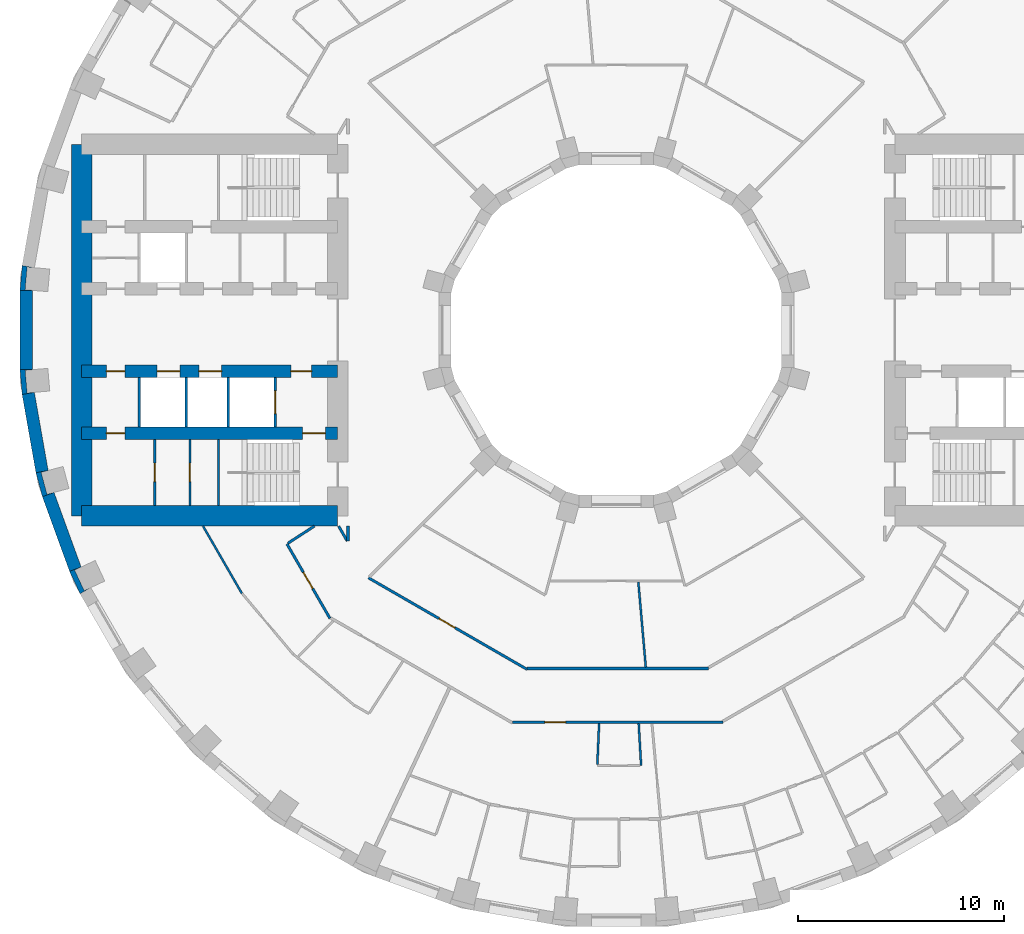
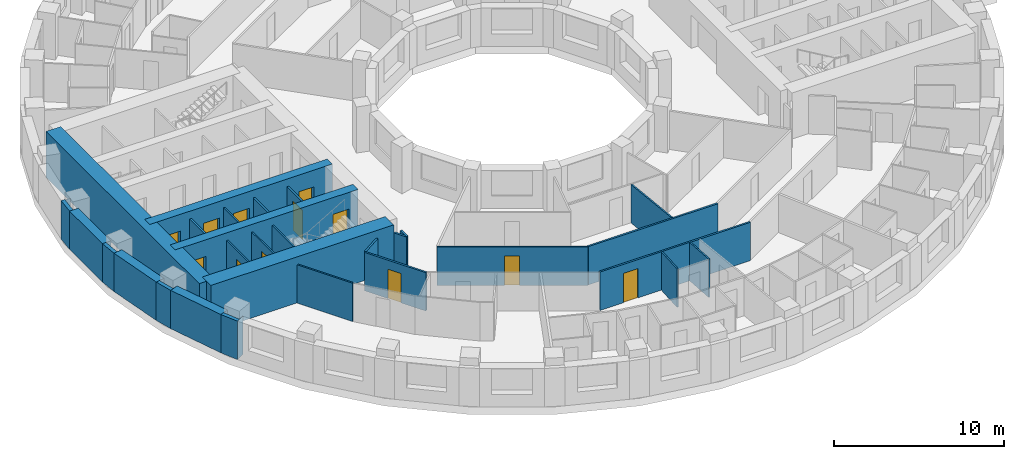
# One storey, part 5 of 15: 29 walls, 12 doors, 12 openings.
"""IFC4 building model written with IfcOpenShell, lengths in metres."""

from ifc_helpers import new_model, si_unit, direction, frame, frame_2d, origin, place, context, subcontext, project, spatial, polyline, rectangle, outline, extrude, material, layer, layer_set, type_object, element, fill, save


model = new_model("IFC4")

# Units and contexts
model_context = context("Model", 3, precision=1e-05, world=origin(), true_north=direction((0.0, 1.0)))
body_context = subcontext(model_context, "Body", "Model", "MODEL_VIEW")
ifc_project = project(units=[si_unit("LENGTHUNIT", "METRE"), si_unit("AREAUNIT", "SQUARE_METRE"), si_unit("VOLUMEUNIT", "CUBIC_METRE"), si_unit("PLANEANGLEUNIT", "RADIAN"), si_unit("MASSUNIT", "GRAM", prefix="KILO")], contexts=[model_context])

# Site, building, storey
site_placement = place(None, origin())
site = spatial("IfcSite", under=ifc_project, at=site_placement, CompositionType="ELEMENT")
building_placement = place(site_placement, origin())
building = spatial("IfcBuilding", under=site, at=building_placement, Name="Saqina Gate Tower", CompositionType="ELEMENT")
storey_placement = place(building_placement, frame((0.0, 0.0, 62.60009765625)))
storey = spatial("IfcBuildingStorey", under=building, at=storey_placement, Name="L17", CompositionType="ELEMENT", Elevation=62.60009765625)

# Walls
ifc_material_1 = material(Name="Brick masonry (red)", Category="masonry")
wall_type_1 = type_object("IfcWallType", Name="BRICK PIER COPING RED", PredefinedType="SOLIDWALL", material=ifc_material_1)
wall_1_placement = place(storey_placement, origin())
element("IfcWall", 1, at=wall_1_placement, inside=storey, type_object=wall_type_1, Name="Pier cap L17 column 18", PredefinedType="SOLIDWALL", context=body_context, shape_type="SweptSolid", body=[
    extrude(outline(polyline([(-28.78466796875, 3.122802734375), (-28.8896484375, 1.9228515625), (-28.28955078125, 1.9228515625), (-28.638671875, 1.95361328125), (-28.54296875, 3.04931640625), (-28.19384765625, 3.018798828125), (-28.78466796875, 3.122802734375)])), origin(), (0.0, 0.0, 1.0), 2.75),
])
wall_2_placement = place(storey_placement, origin())
element("IfcWall", 2, at=wall_2_placement, inside=storey, type_object=wall_type_1, Name="Pier cap L17 column 19", PredefinedType="SOLIDWALL", context=body_context, shape_type="SweptSolid", body=[
    extrude(outline(polyline([(-28.8896484375, -1.9228515625), (-28.78466796875, -3.122802734375), (-28.19384765625, -3.018798828125), (-28.54296875, -3.04931640625), (-28.638671875, -1.95361328125), (-28.28955078125, -1.9228515625), (-28.8896484375, -1.9228515625)])), origin(), (0.0, 0.0, 1.0), 2.75),
])
wall_3_placement = place(storey_placement, origin())
element("IfcWall", 3, at=wall_3_placement, inside=storey, type_object=wall_type_1, Name="Pier cap L17 column 20", PredefinedType="SOLIDWALL", context=body_context, shape_type="SweptSolid", body=[
    extrude(outline(polyline([(-28.11669921875, -6.910400390625), (-27.80517578125, -8.073974609375), (-27.2412109375, -7.86865234375), (-27.57958984375, -7.95947265625), (-27.864501953125, -6.896728515625), (-27.52587890625, -6.80615234375), (-28.11669921875, -6.910400390625)])), origin(), (0.0, 0.0, 1.0), 2.75),
])
wall_4_placement = place(storey_placement, origin())
element("IfcWall", 4, at=wall_4_placement, inside=storey, type_object=wall_type_1, Name="Pier cap L17 column 21", PredefinedType="SOLIDWALL", context=body_context, shape_type="SweptSolid", body=[
    extrude(outline(polyline([(-25.980712890625, -12.779541015625), (-25.4609375, -12.4794921875), (-25.778564453125, -12.627685546875), (-26.243408203125, -11.630615234375), (-25.92578125, -11.482666015625), (-26.48974609375, -11.687744140625), (-25.980712890625, -12.779541015625)])), origin(), (0.0, 0.0, 1.0), 2.75),
])

# Wall, opening, door
ifc_material_2 = material(Name="Gypsum board on steel studs", Category="steel")
ifc_layer_1 = layer(ifc_material_2, 0.10009765625)
ifc_layer_set_1 = layer_set([ifc_layer_1], Name="CORE PARTITION")
wall_type_2 = type_object("IfcWallType", Name="CORE PARTITION", PredefinedType="PARTITIONING", material=ifc_layer_set_1)
wall_5_placement = place(storey_placement, frame((-20.65771484375, -8.5, 0.0), z_axis=(0.0, 0.0, 1.0), x_axis=(0.0, 1.0, 0.0)))
wall_5 = element("IfcWall", 5, at=wall_5_placement, inside=storey, type_object=wall_type_2, Name="L17-CP-W13", PredefinedType="PARTITIONING", context=body_context, shape_type="SweptSolid", body=[
    extrude(rectangle(XDim=3.199951171875, YDim=0.10009765625, at=frame_2d((1.60009765625, 0.0))), origin(), (0.0, 0.0, 1.0), 2.75),
])
opening_1_placement = place(wall_5_placement, frame((1.14990234375, 0.0, 0.0)))
opening_1 = element("IfcOpeningElement", 6, at=opening_1_placement, cuts=wall_5, Name="Opening G04-D116", PredefinedType="OPENING", context=body_context, shape_type="SweptSolid", body=[
    extrude(rectangle(XDim=0.89990234375, YDim=2.10009765625, at=frame_2d((0.449951171875, 1.050048828125))), frame((0.0, 0.06201171875, 0.0), z_axis=(0.0, -1.0, 0.0), x_axis=(1.0, 0.0, 0.0)), (0.0, 0.0, 1.0), 0.1240234375),
])
ifc_material_3 = material(Name="Steel-framed fire door leaf, EI 60", Category="steel")
door_type_1 = type_object("IfcDoorType", Name="SERVICE ROOM DOOR 900", OperationType="SINGLE_SWING_LEFT", PredefinedType="DOOR", material=ifc_material_3)
door_1_placement = place(opening_1_placement, origin())
door_1 = element("IfcDoor", 7, at=door_1_placement, inside=storey, type_object=door_type_1, Name="L17-CD-W27", OperationType="SINGLE_SWING_LEFT", OverallHeight=2.10009765625, OverallWidth=0.89990234375, PredefinedType="DOOR", context=body_context, shape_type="SweptSolid", body=[
    extrude(rectangle(XDim=0.89990234375, YDim=2.10009765625, at=frame_2d((0.449951171875, 1.050048828125))), frame((0.0, 0.02490234375, 0.0), z_axis=(0.0, -1.0, 0.0), x_axis=(1.0, 0.0, 0.0)), (0.0, 0.0, 1.0), 0.050048828125),
])
fill(opening_1, door_1)

wall_6_placement = place(storey_placement, frame((-22.360107421875, -8.5, 0.0), z_axis=(0.0, 0.0, 1.0), x_axis=(0.0, 1.0, 0.0)))
wall_6 = element("IfcWall", 8, at=wall_6_placement, inside=storey, type_object=wall_type_2, Name="L17-CP-W14", PredefinedType="PARTITIONING", context=body_context, shape_type="SweptSolid", body=[
    extrude(rectangle(XDim=3.199951171875, YDim=0.10009765625, at=frame_2d((1.60009765625, 0.0))), origin(), (0.0, 0.0, 1.0), 2.75),
])
opening_2_placement = place(wall_6_placement, frame((1.14990234375, 0.0, 0.0)))
opening_2 = element("IfcOpeningElement", 9, at=opening_2_placement, cuts=wall_6, Name="Opening G04-D115", PredefinedType="OPENING", context=body_context, shape_type="SweptSolid", body=[
    extrude(rectangle(XDim=0.89990234375, YDim=2.10009765625, at=frame_2d((0.449951171875, 1.050048828125))), frame((0.0, 0.06201171875, 0.0), z_axis=(0.0, -1.0, 0.0), x_axis=(1.0, 0.0, 0.0)), (0.0, 0.0, 1.0), 0.1240234375),
])
door_2_placement = place(opening_2_placement, origin())
door_2 = element("IfcDoor", 10, at=door_2_placement, inside=storey, type_object=door_type_1, Name="L17-CD-W26", OperationType="SINGLE_SWING_LEFT", OverallHeight=2.10009765625, OverallWidth=0.89990234375, PredefinedType="DOOR", context=body_context, shape_type="SweptSolid", body=[
    extrude(rectangle(XDim=0.89990234375, YDim=2.10009765625, at=frame_2d((0.449951171875, 1.050048828125))), frame((0.0, 0.02490234375, 0.0), z_axis=(0.0, -1.0, 0.0), x_axis=(1.0, 0.0, 0.0)), (0.0, 0.0, 1.0), 0.050048828125),
])
fill(opening_2, door_2)

# Walls
ifc_material_4 = material(Name="Glazed ceramic tile", Category="ceramic")
ifc_layer_2 = layer(ifc_material_4, 0.60009765625)
ifc_layer_set_2 = layer_set([ifc_layer_2], Name="FW-TILE")
wall_type_3 = type_object("IfcWallType", Name="FW-TILE", PredefinedType="SOLIDWALL", material=ifc_layer_set_2)
wall_7_placement = place(storey_placement, frame((-28.589599609375, 1.9228515625, 0.0), z_axis=(0.0, 0.0, 1.0), x_axis=(0.0, -1.0, 0.0)))
element("IfcWall", 11, at=wall_7_placement, inside=storey, type_object=wall_type_3, Name="Facade wall L17 facet 18", PredefinedType="SOLIDWALL", context=body_context, shape_type="SweptSolid", body=[
    extrude(rectangle(XDim=3.845703125, YDim=0.60009765625, at=frame_2d((1.9228515625, 0.0))), origin(), (0.0, 0.0, 1.0), 2.75),
])
wall_8_placement = place(storey_placement, frame((-27.523193359375, -7.97119140625, 0.0), z_axis=(0.0, 0.0, 1.0), x_axis=(0.342028474173, -0.939689588564, 0.0)))
element("IfcWall", 12, at=wall_8_placement, inside=storey, type_object=wall_type_3, Name="Facade wall L17 facet 20", PredefinedType="SOLIDWALL", context=body_context, shape_type="SweptSolid", body=[
    extrude(rectangle(XDim=3.845947265625, YDim=0.60009765625, at=frame_2d((1.9228515625, 0.0))), origin(), (0.0, 0.0, 1.0), 2.75),
])
ifc_material_5 = material(Name="Glazed ceramic tile (white)", Category="ceramic")
ifc_layer_3 = layer(ifc_material_5, 0.60009765625)
ifc_layer_set_3 = layer_set([ifc_layer_3], Name="FW-TILE-WH")
wall_type_4 = type_object("IfcWallType", Name="FW-TILE-WH", PredefinedType="SOLIDWALL", material=ifc_layer_set_3)
wall_9_placement = place(storey_placement, frame((-28.4892578125, -3.07080078125, 0.0), z_axis=(0.0, 0.0, 1.0), x_axis=(0.173687553279, -0.984800809218, 0.0)))
element("IfcWall", 13, at=wall_9_placement, inside=storey, type_object=wall_type_4, Name="Facade wall L17 facet 19", PredefinedType="SOLIDWALL", context=body_context, shape_type="SweptSolid", body=[
    extrude(rectangle(XDim=3.845703125, YDim=0.60009765625, at=frame_2d((1.9228515625, 0.0))), origin(), (0.0, 0.0, 1.0), 2.75),
])
ifc_material_6 = material(Name="Gypsum board on steel studs, 100 mm", Category="steel")
ifc_layer_4 = layer(ifc_material_6, 0.10009765625)
ifc_layer_set_4 = layer_set([ifc_layer_4], Name="PARTITION 100")
wall_type_5 = type_object("IfcWallType", Name="PARTITION 100", PredefinedType="PARTITIONING", material=ifc_layer_set_4)
wall_10_placement = place(storey_placement, frame((1.08544921875, -19.0625, 0.0), z_axis=(0.0, 0.0, 1.0), x_axis=(0.057060010535, -0.998370750372, 0.0)))
element("IfcWall", 14, at=wall_10_placement, inside=storey, type_object=wall_type_5, Name="PARTITION PW3-02", PredefinedType="PARTITIONING", context=body_context, shape_type="SweptSolid", body=[
    extrude(rectangle(XDim=2.041015625, YDim=0.10009765625, at=frame_2d((1.0205078125, 0.0))), origin(), (0.0, 0.0, 1.0), 2.75),
])
wall_11_placement = place(storey_placement, frame((1.0673828125, -12.19970703125, 0.0), z_axis=(0.0, 0.0, 1.0), x_axis=(0.08728141995, -0.996183694773, 0.0)))
element("IfcWall", 15, at=wall_11_placement, inside=storey, type_object=wall_type_5, Name="PARTITION PW3-05", PredefinedType="PARTITIONING", context=body_context, shape_type="SweptSolid", body=[
    extrude(rectangle(XDim=4.15380859375, YDim=0.10009765625, at=frame_2d((2.076904296875, 0.0))), origin(), (0.0, 0.0, 1.0), 2.75),
])
wall_12_placement = place(storey_placement, frame((-20.02197265625, -9.5, 0.0), z_axis=(0.0, 0.0, 1.0), x_axis=(0.500001120693, -0.866024756751, 0.0)))
element("IfcWall", 16, at=wall_12_placement, inside=storey, type_object=wall_type_5, Name="PARTITION PW3-16", PredefinedType="PARTITIONING", context=body_context, shape_type="SweptSolid", body=[
    extrude(rectangle(XDim=3.7666015625, YDim=0.10009765625, at=frame_2d((1.88330078125, 0.0))), origin(), (0.0, 0.0, 1.0), 2.75),
])
wall_13_placement = place(storey_placement, frame((-0.9189453125, -21.050048828125, 0.0), z_axis=(0.0, 0.0, 1.0), x_axis=(0.043320061376, 0.999061245511, 0.0)))
element("IfcWall", 17, at=wall_13_placement, inside=storey, type_object=wall_type_5, Name="PARTITION PW3-113", PredefinedType="PARTITIONING", context=body_context, shape_type="SweptSolid", body=[
    extrude(rectangle(XDim=1.989501953125, YDim=0.10009765625, at=frame_2d((0.99462890625, 0.0))), origin(), (0.0, 0.0, 1.0), 2.75),
])

# Wall, opening, door
ifc_material_7 = material(Name="Gypsum board on steel studs, 125 mm, fire rated", Category="steel")
ifc_layer_5 = layer(ifc_material_7, 0.125)
ifc_layer_set_5 = layer_set([ifc_layer_5], Name="PARTITION EI 30 125")
wall_type_6 = type_object("IfcWallType", Name="PARTITION EI 30 125", PredefinedType="PARTITIONING", material=ifc_layer_set_5)
wall_14_placement = place(storey_placement, frame((-15.95703125, -10.362060546875, 0.0), z_axis=(0.0, 0.0, 1.0), x_axis=(0.500063859158, -0.865988531543, 0.0)))
wall_14 = element("IfcWall", 18, at=wall_14_placement, inside=storey, type_object=wall_type_6, Name="PARTITION PW1-02", PredefinedType="PARTITIONING", context=body_context, shape_type="SweptSolid", body=[
    extrude(rectangle(XDim=4.16796875, YDim=0.125, at=frame_2d((2.083984375, 0.0))), origin(), (0.0, 0.0, 1.0), 2.75),
])
opening_3_placement = place(wall_14_placement, frame((1.597900390625, 0.0, 0.0)))
opening_3 = element("IfcOpeningElement", 19, at=opening_3_placement, cuts=wall_14, Name="Opening G04-D37", PredefinedType="OPENING", context=body_context, shape_type="SweptSolid", body=[
    extrude(rectangle(XDim=0.89990234375, YDim=2.10009765625, at=frame_2d((0.449951171875, 1.050048828125))), frame((0.0, 0.074462890625, 0.0), z_axis=(0.0, -1.0, 0.0), x_axis=(1.0, 0.0, 0.0)), (0.0, 0.0, 1.0), 0.14892578125),
])
ifc_material_8 = material(Name="Fire door leaf EI 30, 900 mm")
door_type_2 = type_object("IfcDoorType", Name="DOOR 900 EI 30", OperationType="SINGLE_SWING_LEFT", PredefinedType="DOOR", material=ifc_material_8)
door_3_placement = place(opening_3_placement, frame((0.89990234375, 0.0, 0.0), z_axis=(0.0, 0.0, 1.0), x_axis=(-1.0, 0.0, 0.0)))
door_3 = element("IfcDoor", 20, at=door_3_placement, inside=storey, type_object=door_type_2, Name="DOOR G04-D37", OperationType="SINGLE_SWING_RIGHT", OverallHeight=2.10009765625, OverallWidth=0.89990234375, PredefinedType="DOOR", context=body_context, shape_type="SweptSolid", body=[
    extrude(rectangle(XDim=0.89990234375, YDim=2.10009765625, at=frame_2d((0.449951171875, 1.050048828125))), frame((0.0, 0.02490234375, 0.0), z_axis=(0.0, -1.0, 0.0), x_axis=(1.0, 0.0, 0.0)), (0.0, 0.0, 1.0), 0.050048828125),
])
fill(opening_3, door_3)

# Wall
wall_15_placement = place(storey_placement, frame((-13.451904296875, -9.5, 0.0), z_axis=(0.0, 0.0, 1.0), x_axis=(0.49991670217, -0.866073490468, 0.0)))
element("IfcWall", 21, at=wall_15_placement, inside=storey, type_object=wall_type_6, Name="PARTITION PW1-03", PredefinedType="PARTITIONING", context=body_context, shape_type="SweptSolid", body=[
    extrude(rectangle(XDim=0.834228515625, YDim=0.125, at=frame_2d((0.4169921875, 0.0))), origin(), (0.0, 0.0, 1.0), 2.75),
])

# Wall, opening, door
wall_16_placement = place(storey_placement, frame((-12.006103515625, -12.006103515625, 0.0), z_axis=(0.0, 0.0, 1.0), x_axis=(0.866073188118, -0.499917225971, 0.0)))
wall_16 = element("IfcWall", 22, at=wall_16_placement, inside=storey, type_object=wall_type_6, Name="PARTITION PW1-11", PredefinedType="PARTITIONING", context=body_context, shape_type="SweptSolid", body=[
    extrude(rectangle(XDim=8.861328125, YDim=0.125, at=frame_2d((4.4306640625, 0.0))), origin(), (0.0, 0.0, 1.0), 2.75),
])
opening_4_placement = place(wall_16_placement, frame((3.944580078125, 0.0, 0.0)))
opening_4 = element("IfcOpeningElement", 23, at=opening_4_placement, cuts=wall_16, Name="Opening G04-D41", PredefinedType="OPENING", context=body_context, shape_type="SweptSolid", body=[
    extrude(rectangle(XDim=0.89990234375, YDim=2.10009765625, at=frame_2d((0.449951171875, 1.050048828125))), frame((0.0, 0.074462890625, 0.0), z_axis=(0.0, -1.0, 0.0), x_axis=(1.0, 0.0, 0.0)), (0.0, 0.0, 1.0), 0.14892578125),
])
door_4_placement = place(opening_4_placement, origin())
door_4 = element("IfcDoor", 24, at=door_4_placement, inside=storey, type_object=door_type_2, Name="DOOR G04-D41", OperationType="SINGLE_SWING_LEFT", OverallHeight=2.10009765625, OverallWidth=0.89990234375, PredefinedType="DOOR", context=body_context, shape_type="SweptSolid", body=[
    extrude(rectangle(XDim=0.89990234375, YDim=2.10009765625, at=frame_2d((0.449951171875, 1.050048828125))), frame((0.0, 0.02490234375, 0.0), z_axis=(0.0, -1.0, 0.0), x_axis=(1.0, 0.0, 0.0)), (0.0, 0.0, 1.0), 0.050048828125),
])
fill(opening_4, door_4)

wall_17_placement = place(storey_placement, frame((-5.028564453125, -19.0, 0.0), z_axis=(0.0, 0.0, 1.0), x_axis=(1.0, 0.0, 0.0)))
wall_17 = element("IfcWall", 25, at=wall_17_placement, inside=storey, type_object=wall_type_6, Name="PARTITION PW1-22", PredefinedType="PARTITIONING", context=body_context, shape_type="SweptSolid", body=[
    extrude(rectangle(XDim=10.191650390625, YDim=0.125, at=frame_2d((5.095703125, 0.0))), origin(), (0.0, 0.0, 1.0), 2.75),
])
opening_5_placement = place(wall_17_placement, frame((1.568115234375, 0.0, 0.0)))
opening_5 = element("IfcOpeningElement", 26, at=opening_5_placement, cuts=wall_17, Name="Opening G04-D45", PredefinedType="OPENING", context=body_context, shape_type="SweptSolid", body=[
    extrude(rectangle(XDim=1.0, YDim=2.10009765625, at=frame_2d((0.5, 1.050048828125))), frame((0.0, 0.074462890625, 0.0), z_axis=(0.0, -1.0, 0.0), x_axis=(1.0, 0.0, 0.0)), (0.0, 0.0, 1.0), 0.14892578125),
])
ifc_material_9 = material(Name="Fire door leaf EI 30, 1000 mm")
door_type_3 = type_object("IfcDoorType", Name="DOOR 1000 EI 30", OperationType="SINGLE_SWING_LEFT", PredefinedType="DOOR", material=ifc_material_9)
door_5_placement = place(opening_5_placement, frame((1.0, 0.0, 0.0), z_axis=(0.0, 0.0, 1.0), x_axis=(-1.0, 0.0, 0.0)))
door_5 = element("IfcDoor", 27, at=door_5_placement, inside=storey, type_object=door_type_3, Name="DOOR G04-D45", OperationType="SINGLE_SWING_RIGHT", OverallHeight=2.10009765625, OverallWidth=1.0, PredefinedType="DOOR", context=body_context, shape_type="SweptSolid", body=[
    extrude(rectangle(XDim=1.0, YDim=2.10009765625, at=frame_2d((0.5, 1.050048828125))), frame((0.0, 0.02490234375, 0.0), z_axis=(0.0, -1.0, 0.0), x_axis=(1.0, 0.0, 0.0)), (0.0, 0.0, 1.0), 0.050048828125),
])
fill(opening_5, door_5)

# Walls
wall_18_placement = place(storey_placement, frame((-4.33154296875, -16.39990234375, 0.0), z_axis=(0.0, 0.0, 1.0), x_axis=(1.0, 0.0, 0.0)))
element("IfcWall", 28, at=wall_18_placement, inside=storey, type_object=wall_type_6, Name="PARTITION PW1-23", PredefinedType="PARTITIONING", context=body_context, shape_type="SweptSolid", body=[
    extrude(rectangle(XDim=8.797607421875, YDim=0.125, at=frame_2d((4.39892578125, 0.0))), origin(), (0.0, 0.0, 1.0), 2.75),
])
wall_19_placement = place(storey_placement, frame((-15.904541015625, -10.327880859375, 0.0), z_axis=(0.0, 0.0, 1.0), x_axis=(0.83882853689, 0.544395706908, 0.0)))
element("IfcWall", 29, at=wall_19_placement, inside=storey, type_object=wall_type_6, Name="PARTITION PW1-37", PredefinedType="PARTITIONING", context=body_context, shape_type="SweptSolid", body=[
    extrude(rectangle(XDim=1.520751953125, YDim=0.125, at=frame_2d((0.76025390625, 0.0))), origin(), (0.0, 0.0, 1.0), 2.75),
])
wall_20_placement = place(storey_placement, frame((-13.0, -10.220458984375, 0.0), z_axis=(0.0, 0.0, 1.0), x_axis=(0.0, 1.0, 0.0)))
element("IfcWall", 30, at=wall_20_placement, inside=storey, type_object=wall_type_6, Name="PARTITION PW1-54", PredefinedType="PARTITIONING", context=body_context, shape_type="SweptSolid", body=[
    extrude(rectangle(XDim=0.720458984375, YDim=0.125, at=frame_2d((0.3603515625, 0.0))), origin(), (0.0, 0.0, 1.0), 2.75),
])

# Wall, opening, door
ifc_material_10 = material(Name="Autoclaved aerated concrete block", Category="concrete")
ifc_layer_6 = layer(ifc_material_10, 0.1201171875)
ifc_layer_set_6 = layer_set([ifc_layer_6], Name="SHAFT PARTITION")
wall_type_7 = type_object("IfcWallType", Name="SHAFT PARTITION", PredefinedType="PARTITIONING", material=ifc_layer_set_6)
wall_21_placement = place(storey_placement, frame((-16.530029296875, -4.699951171875, 0.0), z_axis=(0.0, 0.0, 1.0), x_axis=(0.0, 1.0, 0.0)))
wall_21 = element("IfcWall", 31, at=wall_21_placement, inside=storey, type_object=wall_type_7, Name="L17-CP-W05", PredefinedType="PARTITIONING", context=body_context, shape_type="SweptSolid", body=[
    extrude(rectangle(XDim=2.39990234375, YDim=0.1201171875, at=frame_2d((1.199951171875, 0.0))), origin(), (0.0, 0.0, 1.0), 2.75),
])
opening_6_placement = place(wall_21_placement, frame((0.64990234375, 0.0, 0.0)))
opening_6 = element("IfcOpeningElement", 32, at=opening_6_placement, cuts=wall_21, Name="Opening G04-LD6", PredefinedType="OPENING", context=body_context, shape_type="SweptSolid", body=[
    extrude(rectangle(XDim=1.10009765625, YDim=2.10009765625, at=frame_2d((0.550048828125, 1.050048828125))), frame((0.0, 0.072021484375, 0.0), z_axis=(0.0, -1.0, 0.0), x_axis=(1.0, 0.0, 0.0)), (0.0, 0.0, 1.0), 0.14404296875),
])
ifc_material_11 = material(Name="Stainless steel", Category="steel")
door_type_4 = type_object("IfcDoorType", Name="LANDING DOOR", OperationType="DOUBLE_DOOR_SLIDING", PredefinedType="DOOR", material=ifc_material_11)
door_6_placement = place(opening_6_placement, origin())
door_6 = element("IfcDoor", 33, at=door_6_placement, inside=storey, type_object=door_type_4, Name="LANDING DOOR FF2", OperationType="DOUBLE_DOOR_SLIDING", OverallHeight=2.10009765625, OverallWidth=1.10009765625, PredefinedType="DOOR", context=body_context, shape_type="SweptSolid", body=[
    extrude(rectangle(XDim=1.10009765625, YDim=2.10009765625, at=frame_2d((0.550048828125, 1.050048828125))), frame((0.0, 0.02490234375, 0.0), z_axis=(0.0, -1.0, 0.0), x_axis=(1.0, 0.0, 0.0)), (0.0, 0.0, 1.0), 0.050048828125),
])
fill(opening_6, door_6)

# Walls
for number, where, z_axis, x_axis, name in (
    (34, (-18.81005859375, -4.699951171875, 0.0), (0.0, 0.0, 1.0), (0.0, 1.0, 0.0), "L17-CP-W06"),
    (35, (-20.840087890625, -4.699951171875, 0.0), (0.0, 0.0, 1.0), (0.0, 1.0, 0.0), "L17-CP-W07"),
    (36, (-23.1201171875, -4.699951171875, 0.0), (0.0, 0.0, 1.0), (0.0, 1.0, 0.0), "L17-CP-W08"),
):
    element("IfcWall", number, at=place(storey_placement, frame(where, z_axis=z_axis, x_axis=x_axis)), inside=storey, type_object=wall_type_7, Name=name, PredefinedType="PARTITIONING", context=body_context, shape_type="SweptSolid", body=[
        extrude(rectangle(XDim=2.39990234375, YDim=0.1201171875, at=frame_2d((1.199951171875, 0.0))), origin(), (0.0, 0.0, 1.0), 2.75),
    ])
ifc_material_12 = material(Name="Autoclaved aerated concrete block", Category="concrete")
ifc_layer_7 = layer(ifc_material_12, 0.10009765625)
ifc_layer_set_7 = layer_set([ifc_layer_7], Name="STAIR ENCLOSURE WALL")
wall_type_8 = type_object("IfcWallType", Name="STAIR ENCLOSURE WALL", PredefinedType="PARTITIONING", material=ifc_layer_set_7)
wall_22_placement = place(storey_placement, frame((-19.27001953125, -8.5, 0.0), z_axis=(0.0, 0.0, 1.0), x_axis=(0.0, 1.0, 0.0)))
element("IfcWall", 37, at=wall_22_placement, inside=storey, type_object=wall_type_8, Name="L17-CP-W12", PredefinedType="PARTITIONING", context=body_context, shape_type="SweptSolid", body=[
    extrude(rectangle(XDim=3.199951171875, YDim=0.10009765625, at=frame_2d((1.60009765625, 0.0))), origin(), (0.0, 0.0, 1.0), 2.75),
])

# Wall, openings, doors
ifc_material_13 = material(Name="Concrete C70/85", Category="concrete")
ifc_layer_8 = layer(ifc_material_13, 0.60009765625)
ifc_layer_set_8 = layer_set([ifc_layer_8], Name="Concrete C70/85")
wall_type_9 = type_object("IfcWallType", Name="STR-CORE WALL-A-I", PredefinedType="SHEAR", material=ifc_layer_set_8)
wall_23_placement = place(storey_placement, frame((-13.5, -5.0, 0.0), z_axis=(0.0, 0.0, 1.0), x_axis=(-1.0, 0.0, 0.0)))
wall_23 = element("IfcWall", 38, at=wall_23_placement, inside=storey, type_object=wall_type_9, Name="CORE WALL L17 W-X2", PredefinedType="SHEAR", context=body_context, shape_type="SweptSolid", body=[
    extrude(rectangle(XDim=12.39990234375, YDim=0.60009765625, at=frame_2d((6.199951171875, 0.0))), origin(), (0.0, 0.0, 1.0), 3.2998046875),
])
opening_7_placement = place(wall_23_placement, frame((10.31005859375, 0.0, 0.0)))
opening_7 = element("IfcOpeningElement", 39, at=opening_7_placement, cuts=wall_23, Name="Opening G04-D117", PredefinedType="OPENING", context=body_context, shape_type="SweptSolid", body=[
    extrude(rectangle(XDim=0.89990234375, YDim=2.10009765625, at=frame_2d((0.449951171875, 1.050048828125))), frame((0.0, 0.31201171875, 0.0), z_axis=(0.0, -1.0, 0.0), x_axis=(1.0, 0.0, 0.0)), (0.0, 0.0, 1.0), 0.6240234375),
])
opening_8_placement = place(wall_23_placement, frame((0.60009765625, 0.0, 0.0)))
opening_8 = element("IfcOpeningElement", 40, at=opening_8_placement, cuts=wall_23, Name="Opening G04-D118", PredefinedType="OPENING", context=body_context, shape_type="SweptSolid", body=[
    extrude(rectangle(XDim=1.10009765625, YDim=2.10009765625, at=frame_2d((0.550048828125, 1.050048828125))), frame((0.0, 0.31201171875, 0.0), z_axis=(0.0, -1.0, 0.0), x_axis=(1.0, 0.0, 0.0)), (0.0, 0.0, 1.0), 0.6240234375),
])
ifc_material_14 = material(Name="Steel", Category="steel")
door_type_5 = type_object("IfcDoorType", Name="FIRE LOBBY DOOR EI 60 WIDE", OperationType="SINGLE_SWING_LEFT", PredefinedType="DOOR", material=ifc_material_14)
door_7_placement = place(opening_8_placement, origin())
door_7 = element("IfcDoor", 41, at=door_7_placement, inside=storey, type_object=door_type_5, Name="L17-CD-W29", OperationType="SINGLE_SWING_LEFT", OverallHeight=2.10009765625, OverallWidth=1.10009765625, PredefinedType="DOOR", context=body_context, shape_type="SweptSolid", body=[
    extrude(rectangle(XDim=1.10009765625, YDim=2.10009765625, at=frame_2d((0.550048828125, 1.050048828125))), frame((0.0, 0.02490234375, 0.0), z_axis=(0.0, -1.0, 0.0), x_axis=(1.0, 0.0, 0.0)), (0.0, 0.0, 1.0), 0.050048828125),
])
fill(opening_8, door_7)
door_8_placement = place(opening_7_placement, origin())
door_8 = element("IfcDoor", 42, at=door_8_placement, inside=storey, type_object=door_type_1, Name="L17-CD-W28", OperationType="SINGLE_SWING_RIGHT", OverallHeight=2.10009765625, OverallWidth=0.89990234375, PredefinedType="DOOR", context=body_context, shape_type="SweptSolid", body=[
    extrude(rectangle(XDim=0.89990234375, YDim=2.10009765625, at=frame_2d((0.449951171875, 1.050048828125))), frame((0.0, 0.02490234375, 0.0), z_axis=(0.0, -1.0, 0.0), x_axis=(1.0, 0.0, 0.0)), (0.0, 0.0, 1.0), 0.050048828125),
])
fill(opening_7, door_8)

wall_24_placement = place(storey_placement, frame((-13.5, -2.0, 0.0), z_axis=(0.0, 0.0, 1.0), x_axis=(-1.0, 0.0, 0.0)))
wall_24 = element("IfcWall", 43, at=wall_24_placement, inside=storey, type_object=wall_type_9, Name="CORE WALL L17 W-L2", PredefinedType="SHEAR", context=body_context, shape_type="SweptSolid", body=[
    extrude(rectangle(XDim=12.39990234375, YDim=0.60009765625, at=frame_2d((6.199951171875, 0.0))), origin(), (0.0, 0.0, 1.0), 3.2998046875),
])
opening_9_placement = place(wall_24_placement, frame((5.6201171875, 0.0, 0.0)))
opening_9 = element("IfcOpeningElement", 44, at=opening_9_placement, cuts=wall_24, Name="Opening G04-LD7", PredefinedType="OPENING", context=body_context, shape_type="SweptSolid", body=[
    extrude(rectangle(XDim=1.10009765625, YDim=2.10009765625, at=frame_2d((0.550048828125, 1.050048828125))), frame((0.0, 0.31201171875, 0.0), z_axis=(0.0, -1.0, 0.0), x_axis=(1.0, 0.0, 0.0)), (0.0, 0.0, 1.0), 0.6240234375),
])
opening_10_placement = place(wall_24_placement, frame((7.64990234375, 0.0, 0.0)))
opening_10 = element("IfcOpeningElement", 45, at=opening_10_placement, cuts=wall_24, Name="Opening G04-LD8", PredefinedType="OPENING", context=body_context, shape_type="SweptSolid", body=[
    extrude(rectangle(XDim=1.10009765625, YDim=2.10009765625, at=frame_2d((0.550048828125, 1.050048828125))), frame((0.0, 0.31201171875, 0.0), z_axis=(0.0, -1.0, 0.0), x_axis=(1.0, 0.0, 0.0)), (0.0, 0.0, 1.0), 0.6240234375),
])
opening_11_placement = place(wall_24_placement, frame((1.264892578125, 0.0, 0.0)))
opening_11 = element("IfcOpeningElement", 46, at=opening_11_placement, cuts=wall_24, Name="Opening G04-D110", PredefinedType="OPENING", context=body_context, shape_type="SweptSolid", body=[
    extrude(rectangle(XDim=1.0, YDim=2.10009765625, at=frame_2d((0.5, 1.050048828125))), frame((0.0, 0.31201171875, 0.0), z_axis=(0.0, -1.0, 0.0), x_axis=(1.0, 0.0, 0.0)), (0.0, 0.0, 1.0), 0.6240234375),
])
opening_12_placement = place(wall_24_placement, frame((10.31005859375, 0.0, 0.0)))
opening_12 = element("IfcOpeningElement", 47, at=opening_12_placement, cuts=wall_24, Name="Opening G04-D111", PredefinedType="OPENING", context=body_context, shape_type="SweptSolid", body=[
    extrude(rectangle(XDim=0.89990234375, YDim=2.10009765625, at=frame_2d((0.449951171875, 1.050048828125))), frame((0.0, 0.31201171875, 0.0), z_axis=(0.0, -1.0, 0.0), x_axis=(1.0, 0.0, 0.0)), (0.0, 0.0, 1.0), 0.6240234375),
])
ifc_material_15 = material(Name="Steel", Category="steel")
door_type_6 = type_object("IfcDoorType", Name="FIRE LOBBY DOOR EI 60", OperationType="SINGLE_SWING_LEFT", PredefinedType="DOOR", material=ifc_material_15)
door_9_placement = place(opening_11_placement, frame((1.0, 0.0, 0.0), z_axis=(0.0, 0.0, 1.0), x_axis=(-1.0, 0.0, 0.0)))
door_9 = element("IfcDoor", 48, at=door_9_placement, inside=storey, type_object=door_type_6, Name="L17-CD-W21", OperationType="SINGLE_SWING_RIGHT", OverallHeight=2.10009765625, OverallWidth=1.0, PredefinedType="DOOR", context=body_context, shape_type="SweptSolid", body=[
    extrude(rectangle(XDim=1.0, YDim=2.10009765625, at=frame_2d((0.5, 1.050048828125))), frame((0.0, 0.02490234375, 0.0), z_axis=(0.0, -1.0, 0.0), x_axis=(1.0, 0.0, 0.0)), (0.0, 0.0, 1.0), 0.050048828125),
])
fill(opening_11, door_9)
door_10_placement = place(opening_9_placement, origin())
door_10 = element("IfcDoor", 49, at=door_10_placement, inside=storey, type_object=door_type_4, Name="LANDING DOOR LR6", OperationType="DOUBLE_DOOR_SLIDING", OverallHeight=2.10009765625, OverallWidth=1.10009765625, PredefinedType="DOOR", context=body_context, shape_type="SweptSolid", body=[
    extrude(rectangle(XDim=1.10009765625, YDim=2.10009765625, at=frame_2d((0.550048828125, 1.050048828125))), frame((0.0, 0.02490234375, 0.0), z_axis=(0.0, -1.0, 0.0), x_axis=(1.0, 0.0, 0.0)), (0.0, 0.0, 1.0), 0.050048828125),
])
fill(opening_9, door_10)
door_11_placement = place(opening_10_placement, origin())
door_11 = element("IfcDoor", 50, at=door_11_placement, inside=storey, type_object=door_type_4, Name="LANDING DOOR LR5", OperationType="DOUBLE_DOOR_SLIDING", OverallHeight=2.10009765625, OverallWidth=1.10009765625, PredefinedType="DOOR", context=body_context, shape_type="SweptSolid", body=[
    extrude(rectangle(XDim=1.10009765625, YDim=2.10009765625, at=frame_2d((0.550048828125, 1.050048828125))), frame((0.0, 0.02490234375, 0.0), z_axis=(0.0, -1.0, 0.0), x_axis=(1.0, 0.0, 0.0)), (0.0, 0.0, 1.0), 0.050048828125),
])
fill(opening_10, door_11)
door_12_placement = place(opening_12_placement, origin())
door_12 = element("IfcDoor", 51, at=door_12_placement, inside=storey, type_object=door_type_1, Name="L17-CD-W22", OperationType="SINGLE_SWING_RIGHT", OverallHeight=2.10009765625, OverallWidth=0.89990234375, PredefinedType="DOOR", context=body_context, shape_type="SweptSolid", body=[
    extrude(rectangle(XDim=0.89990234375, YDim=2.10009765625, at=frame_2d((0.449951171875, 1.050048828125))), frame((0.0, 0.02490234375, 0.0), z_axis=(0.0, -1.0, 0.0), x_axis=(1.0, 0.0, 0.0)), (0.0, 0.0, 1.0), 0.050048828125),
])
fill(opening_12, door_12)

# Walls
ifc_material_16 = material(Name="Concrete C70/85", Category="concrete")
ifc_layer_9 = layer(ifc_material_16, 1.0)
ifc_layer_set_9 = layer_set([ifc_layer_9], Name="Concrete C70/85")
wall_type_10 = type_object("IfcWallType", Name="STR-CORE WALL-A-O", PredefinedType="SHEAR", material=ifc_layer_set_9)
wall_25_placement = place(storey_placement, frame((-25.89990234375, -9.0, 0.0), z_axis=(0.0, 0.0, 1.0), x_axis=(0.0, 1.0, 0.0)))
element("IfcWall", 52, at=wall_25_placement, inside=storey, type_object=wall_type_10, Name="CORE WALL L17 W-W2", PredefinedType="SHEAR", context=body_context, shape_type="SweptSolid", body=[
    extrude(rectangle(XDim=18.0, YDim=1.0, at=frame_2d((9.0, 0.0))), origin(), (0.0, 0.0, 1.0), 3.2998046875),
])
wall_26_placement = place(storey_placement, frame((-13.5, -9.0, 0.0), z_axis=(0.0, 0.0, 1.0), x_axis=(-1.0, 0.0, 0.0)))
element("IfcWall", 53, at=wall_26_placement, inside=storey, type_object=wall_type_10, Name="CORE WALL L17 W-SE", PredefinedType="SHEAR", context=body_context, shape_type="SweptSolid", body=[
    extrude(rectangle(XDim=12.39990234375, YDim=1.0, at=frame_2d((6.199951171875, 0.0))), origin(), (0.0, 0.0, 1.0), 3.2998046875),
])

save(model, "model.ifc")
